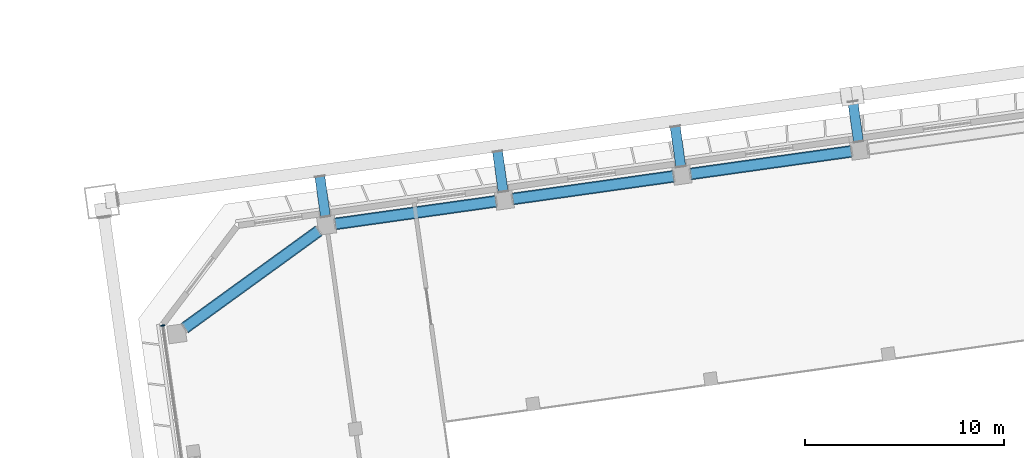
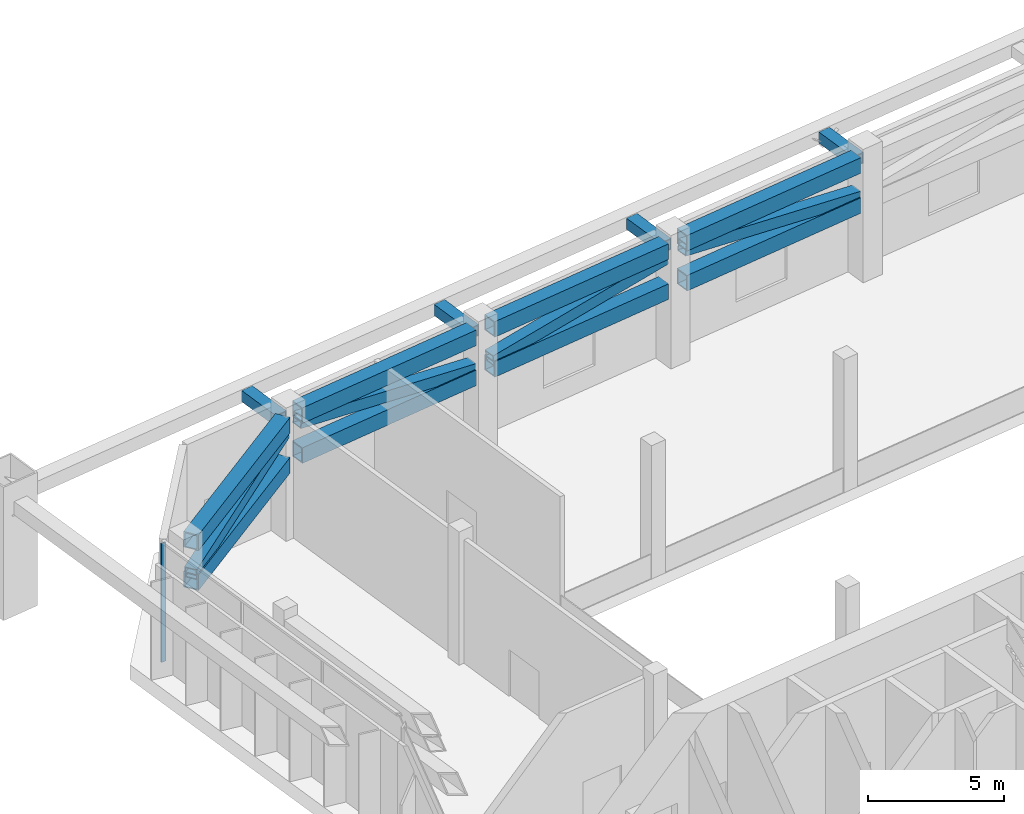
# One storey, part 14 of 41: 17 members, 1 element without a shape of its own.
"""IFC4 building model written with IfcOpenShell, lengths in metres."""

from ifc_helpers import new_model, si_unit, direction, frame, origin, origin_2d, place, context, subcontext, project, spatial, rectangle, hollow_rectangle, extrude, material, material_profile, profile_set, type_object, element, aggregate, save


model = new_model("IFC4")

# Units and contexts
model_context = context("Model", 3, precision=1e-05, world=origin(), true_north=direction((0.0, 1.0)))
body_context = subcontext(model_context, "Body", "Model", "MODEL_VIEW")
ifc_project = project(units=[si_unit("LENGTHUNIT", "METRE"), si_unit("AREAUNIT", "SQUARE_METRE"), si_unit("VOLUMEUNIT", "CUBIC_METRE"), si_unit("PLANEANGLEUNIT", "RADIAN"), si_unit("MASSUNIT", "GRAM", prefix="KILO")], contexts=[model_context])

# Site, building, storey
site_placement = place(None, origin())
site = spatial("IfcSite", under=ifc_project, at=site_placement, CompositionType="ELEMENT")
building_placement = place(site_placement, origin())
building = spatial("IfcBuilding", under=site, at=building_placement, Name="Mirante Cascada Hotel Towers", CompositionType="ELEMENT")
storey_placement = place(building_placement, frame((0.0, 0.0, 92.7)))
storey = spatial("IfcBuildingStorey", under=building, at=storey_placement, Name="L20", CompositionType="ELEMENT", Elevation=92.7)

# Members
ifc_material_1 = material(Name="Steel ASTM A572 Gr 50", Category="steel")
ifc_material_profile_1 = material_profile(ifc_material_1, hollow_rectangle(XDim=0.6, YDim=0.7, WallThickness=0.05, at=origin_2d()), Name="Box chord 700x600x50 ASTM A572 Gr 50")
ifc_profile_set_1 = profile_set([ifc_material_profile_1], Name="Steel ASTM A572 Gr 50")
member_type_1 = type_object("IfcMemberType", Name="Box chord 700x600x50 ASTM A572 Gr 50", PredefinedType="CHORD", material=ifc_profile_set_1)
for number, where, z_axis, x_axis, name in (
    (1, (29.2539, 12.1633, 5.2), (0.8095727, 0.5870197, 0.0), (-0.5870197, 0.8095727, 0.0), "belt T2 L20 1"),
    (2, (29.2539, 12.1633, 3.4), (0.8095727, 0.5870197, 0.0), (-0.5870197, 0.8095727, 0.0), "belt T2 L20 2"),
):
    element("IfcMember", number, at=place(storey_placement, frame(where, z_axis=z_axis, x_axis=x_axis)), inside=storey, type_object=member_type_1, Name=name, PredefinedType="CHORD", context=body_context, shape_type="SweptSolid", body=[
        extrude(hollow_rectangle(XDim=0.6, YDim=0.7, WallThickness=0.05, at=origin_2d()), origin(), (0.0, 0.0, 1.0), 8.3036),
    ])
for number, where, z_axis, x_axis, name in (
    (3, (36.7983, 17.3848, 5.2), (0.9902676, 0.1391765, 0.0), (-0.1391765, 0.9902676, 0.0), "belt T2 L20 4"),
    (4, (36.7983, 17.3848, 3.4), (0.9902676, 0.1391765, 0.0), (-0.1391765, 0.9902676, 0.0), "belt T2 L20 5"),
    (5, (45.7107, 18.6374, 5.2), (0.9902693, 0.1391645, 0.0), (-0.1391645, 0.9902693, 0.0), "belt T2 L20 7"),
    (6, (45.7107, 18.6374, 3.4), (0.9902693, 0.1391645, 0.0), (-0.1391645, 0.9902693, 0.0), "belt T2 L20 8"),
    (7, (54.6231, 19.8899, 5.2), (0.9902676, 0.1391765, 0.0), (-0.1391765, 0.9902676, 0.0), "belt T2 L20 10"),
    (8, (54.6231, 19.8899, 3.4), (0.9902676, 0.1391765, 0.0), (-0.1391765, 0.9902676, 0.0), "belt T2 L20 11"),
):
    element("IfcMember", number, at=place(storey_placement, frame(where, z_axis=z_axis, x_axis=x_axis)), inside=storey, type_object=member_type_1, Name=name, PredefinedType="CHORD", context=body_context, shape_type="SweptSolid", body=[
        extrude(hollow_rectangle(XDim=0.6, YDim=0.7, WallThickness=0.05, at=origin_2d()), origin(), (0.0, 0.0, 1.0), 8.14),
    ])
ifc_material_2 = material(Name="Steel ASTM A572 Gr 50", Category="steel")
ifc_material_profile_2 = material_profile(ifc_material_2, hollow_rectangle(XDim=0.5, YDim=0.5, WallThickness=0.035, at=origin_2d()), Name="Box diagonal 500x500x35 ASTM A572 Gr 50")
ifc_profile_set_2 = profile_set([ifc_material_profile_2], Name="Steel ASTM A572 Gr 50")
member_type_2 = type_object("IfcMemberType", Name="Box diagonal 500x500x35 ASTM A572 Gr 50", PredefinedType="BRACE", material=ifc_profile_set_2)
member_1_placement = place(storey_placement, frame((29.2539, 12.1633, 3.75), z_axis=(0.8025613, 0.5819357, 0.1313247), x_axis=(-0.5870197, 0.8095727, 0.0)))
element("IfcMember", 9, at=member_1_placement, inside=storey, type_object=member_type_2, Name="belt T2 L20 3", PredefinedType="BRACE", context=body_context, shape_type="SweptSolid", body=[
    extrude(hollow_rectangle(XDim=0.5, YDim=0.5, WallThickness=0.035, at=origin_2d()), origin(), (0.0, 0.0, 1.0), 8.3762),
])
for number, where, z_axis, x_axis, name in (
    (10, (36.7983, 17.3848, 4.85), (0.9813477, 0.1379229, -0.1339175), (-0.1391765, 0.9902676, 0.0), "belt T2 L20 6"),
    (11, (45.7107, 18.6374, 3.75), (0.9813494, 0.1379109, 0.1339178), (-0.1391645, 0.9902693, 0.0), "belt T2 L20 9"),
    (12, (54.6231, 19.8899, 4.85), (0.9813477, 0.1379229, -0.1339175), (-0.1391765, 0.9902676, 0.0), "belt T2 L20 12"),
):
    element("IfcMember", number, at=place(storey_placement, frame(where, z_axis=z_axis, x_axis=x_axis)), inside=storey, type_object=member_type_2, Name=name, PredefinedType="BRACE", context=body_context, shape_type="SweptSolid", body=[
        extrude(hollow_rectangle(XDim=0.5, YDim=0.5, WallThickness=0.035, at=origin_2d()), origin(), (0.0, 0.0, 1.0), 8.214),
    ])
ifc_material_3 = material(Name="Steel ASTM A572 Gr 50", Category="steel")
ifc_material_profile_3 = material_profile(ifc_material_3, hollow_rectangle(XDim=0.5, YDim=0.5, WallThickness=0.035, at=origin_2d()), Name="Box tie 500x500x35 ASTM A572 Gr 50")
ifc_profile_set_3 = profile_set([ifc_material_profile_3], Name="Steel ASTM A572 Gr 50")
member_type_3 = type_object("IfcMemberType", Name="Box tie 500x500x35 ASTM A572 Gr 50", PredefinedType="STRUT", material=ifc_profile_set_3)
member_2_placement = place(storey_placement, frame((36.3127, 17.7508, 4.85), z_axis=(-0.139218, 0.9902618, 0.0), x_axis=(-0.9902618, -0.139218, 0.0)))
element("IfcMember", 13, at=member_2_placement, inside=storey, type_object=member_type_3, Name="tie T2 L20 1", PredefinedType="STRUT", context=body_context, shape_type="SweptSolid", body=[
    extrude(hollow_rectangle(XDim=0.5, YDim=0.5, WallThickness=0.035, at=origin_2d()), origin(), (0.0, 0.0, 1.0), 2.04),
])
member_3_placement = place(storey_placement, frame((45.2251, 19.0033, 4.85), z_axis=(-0.1391632, 0.9902695, 0.0), x_axis=(-0.9902695, -0.1391632, 0.0)))
element("IfcMember", 14, at=member_3_placement, inside=storey, type_object=member_type_3, Name="tie T2 L20 3", PredefinedType="STRUT", context=body_context, shape_type="SweptSolid", body=[
    extrude(hollow_rectangle(XDim=0.5, YDim=0.5, WallThickness=0.035, at=origin_2d()), origin(), (0.0, 0.0, 1.0), 2.0401),
])
member_4_placement = place(storey_placement, frame((54.1375, 20.2559, 4.85), z_axis=(-0.13917, 0.9902685, 0.0), x_axis=(-0.9902685, -0.13917, 0.0)))
element("IfcMember", 15, at=member_4_placement, inside=storey, type_object=member_type_3, Name="tie T2 L20 5", PredefinedType="STRUT", context=body_context, shape_type="SweptSolid", body=[
    extrude(hollow_rectangle(XDim=0.5, YDim=0.5, WallThickness=0.035, at=origin_2d()), origin(), (0.0, 0.0, 1.0), 2.04),
])
member_5_placement = place(storey_placement, frame((63.0499, 21.5084, 4.85), z_axis=(-0.1391632, 0.9902695, 0.0), x_axis=(-0.9902695, -0.1391632, 0.0)))
element("IfcMember", 16, at=member_5_placement, inside=storey, type_object=member_type_3, Name="tie T2 L20 7", PredefinedType="STRUT", context=body_context, shape_type="SweptSolid", body=[
    extrude(hollow_rectangle(XDim=0.5, YDim=0.5, WallThickness=0.035, at=origin_2d()), origin(), (0.0, 0.0, 1.0), 2.0401),
])

# Curtain wall, member
ifc_material_4 = material(Name="Aluminium mullion and transom frame with clear laminated glass", Category="aluminium")
curtain_wall_type = type_object("IfcCurtainWallType", Name="End ribbon curtain wall ECW2", PredefinedType="NOTDEFINED", material=ifc_material_4)
curtain_wall_placement = place(storey_placement, origin())
curtain_wall = element("IfcCurtainWall", 17, at=curtain_wall_placement, inside=storey, type_object=curtain_wall_type, Name="Inner end wall T2 L20", PredefinedType="NOTDEFINED")
ifc_material_5 = material(Name="Anodised aluminium extrusion", Category="aluminium")
ifc_material_profile_4 = material_profile(ifc_material_5, rectangle(XDim=0.2, YDim=0.065, at=origin_2d()), Name="ECW2 MULLION 65x200")
ifc_profile_set_4 = profile_set([ifc_material_profile_4], Name="Anodised aluminium extrusion")
member_type_4 = type_object("IfcMemberType", Name="ECW2 mullion 65x200", PredefinedType="MULLION", material=ifc_profile_set_4)
member_6_placement = place(storey_placement, frame((28.1437, 12.2861, 0.1), z_axis=(0.0, 0.0, 1.0), x_axis=(0.9902681, 0.1391731, 0.0)))
member_6 = element("IfcMember", 18, at=member_6_placement, type_object=member_type_4, Name="ECW2 mullion 1", PredefinedType="MULLION", context=body_context, shape_type="SweptSolid", body=[
    extrude(rectangle(XDim=0.2, YDim=0.065, at=origin_2d()), origin(), (0.0, 0.0, 1.0), 5.35),
])
aggregate(curtain_wall, [member_6])

save(model, "model.ifc")
